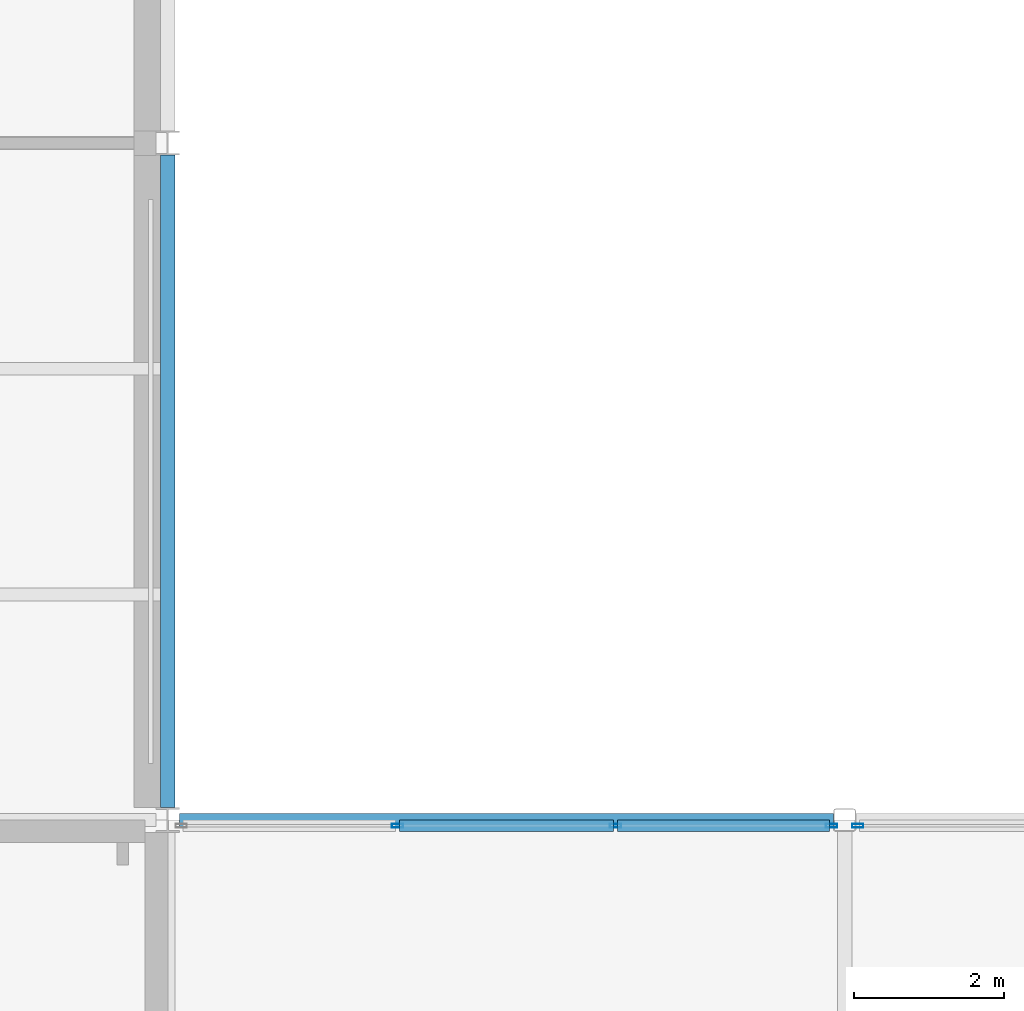
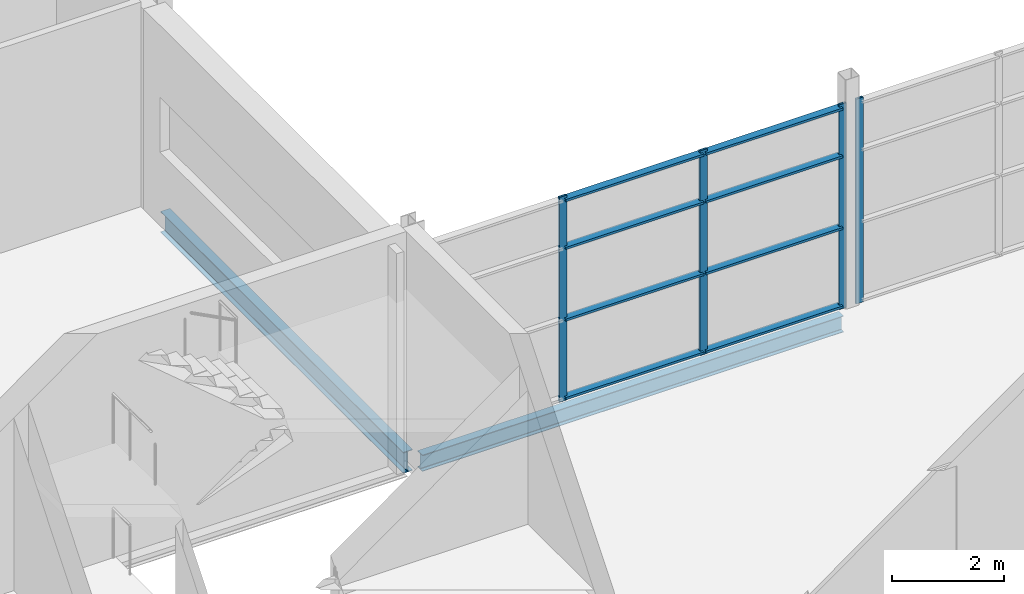
# One storey, part 58 of 112: 12 members, 2 beams, 2 elements without a shape of their own.
"""IFC4 building model written with IfcOpenShell, lengths in metres."""

from ifc_helpers import new_model, si_unit, direction, frame, origin, origin_2d, place, context, subcontext, project, spatial, hollow_rectangle, i_section, extrude, material, layer, layer_set, material_profile, profile_set, type_object, element, aggregate, save


model = new_model("IFC4")

# Units and contexts
model_context = context("Model", 3, precision=1e-05, world=origin(), true_north=direction((0.0, 1.0)))
body_context = subcontext(model_context, "Body", "Model", "MODEL_VIEW")
ifc_project = project(units=[si_unit("LENGTHUNIT", "METRE"), si_unit("AREAUNIT", "SQUARE_METRE"), si_unit("VOLUMEUNIT", "CUBIC_METRE"), si_unit("PLANEANGLEUNIT", "RADIAN"), si_unit("MASSUNIT", "GRAM", prefix="KILO")], contexts=[model_context])

# Site, building, storey
site_placement = place(None, origin())
site = spatial("IfcSite", under=ifc_project, at=site_placement, CompositionType="ELEMENT")
building_placement = place(site_placement, origin())
building = spatial("IfcBuilding", under=site, at=building_placement, Name="Shorebreak Coast Museum", CompositionType="ELEMENT")
storey_placement = place(building_placement, frame((0.0, 0.0, 6.0)))
storey = spatial("IfcBuildingStorey", under=building, at=storey_placement, Name="L01", CompositionType="ELEMENT", Elevation=6.0)

# Beams
ifc_material_1 = material(Name="Steel Grade 300", Category="steel")
ifc_material_profile_1 = material_profile(ifc_material_1, i_section(OverallWidth=0.1708984375, OverallDepth=0.355712890625, WebThickness=0.00732421875, FlangeThickness=0.011474609375, FilletRadius=0.011474609375, at=origin_2d()), Name="360UB50.7")
ifc_profile_set_1 = profile_set([ifc_material_profile_1], Name="Steel Grade 300")
beam_type_1 = type_object("IfcBeamType", Name="Floor girder east-west 360UB50.7", PredefinedType="BEAM", material=ifc_profile_set_1)
beam_1_placement = place(storey_placement, frame((117.155517578125, 90.0, -0.352783203125), z_axis=(1.0, 0.0, 0.0), x_axis=(0.0, 1.0, 0.0)))
element("IfcBeam", 1, at=beam_1_placement, inside=storey, type_object=beam_type_1, Name="Floor girder east-west L01 14L", PredefinedType="BEAM", context=body_context, shape_type="SweptSolid", body=[
    extrude(i_section(OverallWidth=0.1708984375, OverallDepth=0.355712890625, WebThickness=0.00732421875, FlangeThickness=0.011474609375, FilletRadius=0.011474609375, at=origin_2d()), origin(), (0.0, 0.0, 1.0), 8.694580078125),
])
ifc_material_2 = material(Name="Steel Grade 300", Category="steel")
ifc_material_profile_2 = material_profile(ifc_material_2, i_section(OverallWidth=0.19091796875, OverallDepth=0.46044921875, WebThickness=0.010009765625, FlangeThickness=0.01611328125, FilletRadius=0.011474609375, at=origin_2d()), Name="460UB82.1")
ifc_profile_set_2 = profile_set([ifc_material_profile_2], Name="Steel Grade 300")
beam_type_2 = type_object("IfcBeamType", Name="Floor girder north-south 460UB82.1", PredefinedType="BEAM", material=ifc_profile_set_2)
beam_2_placement = place(storey_placement, frame((117.0, 90.16357421875, -0.4052734375), z_axis=(0.0, 1.0, 0.0), x_axis=(-1.0, 0.0, 0.0)))
element("IfcBeam", 2, at=beam_2_placement, inside=storey, type_object=beam_type_2, Name="Floor girder north-south L01 14L", PredefinedType="BEAM", context=body_context, shape_type="SweptSolid", body=[
    extrude(i_section(OverallWidth=0.19091796875, OverallDepth=0.46044921875, WebThickness=0.010009765625, FlangeThickness=0.01611328125, FilletRadius=0.011474609375, at=origin_2d()), origin(), (0.0, 0.0, 1.0), 8.676025390625),
])

# Curtain wall, members
ifc_material_3 = material(Name="Aluminium", Category="aluminium")
ifc_layer = layer(ifc_material_3, 0.14990234375)
ifc_layer_set = layer_set([ifc_layer], Name="Aluminium")
curtain_wall_type = type_object("IfcCurtainWallType", Name="Storefront curtain wall", PredefinedType="NOTDEFINED", material=ifc_layer_set)
curtain_wall_1_placement = place(storey_placement, origin())
curtain_wall_1 = element("IfcCurtainWall", 3, at=curtain_wall_1_placement, inside=storey, type_object=curtain_wall_type, Name="Storefront L01 N 13", PredefinedType="NOTDEFINED")
ifc_material_4 = material(Name="Aluminium", Category="aluminium")
ifc_material_profile_3 = material_profile(ifc_material_4, hollow_rectangle(XDim=0.050048828125, YDim=0.14990234375, WallThickness=0.00390625, at=origin_2d()), Name="AL 150x50 RHS")
ifc_profile_set_3 = profile_set([ifc_material_profile_3], Name="Aluminium")
member_type_1 = type_object("IfcMemberType", Name="Storefront mullion 50 x 150", PredefinedType="MULLION", material=ifc_profile_set_3)
member_1_placement = place(storey_placement, frame((120.0537109375, 89.925048828125, 0.0), z_axis=(0.0, 0.0, 1.0), x_axis=(0.0, 1.0, 0.0)))
member_1 = element("IfcMember", 4, at=member_1_placement, type_object=member_type_1, Name="CW8 mullion 2", PredefinedType="MULLION", context=body_context, shape_type="SweptSolid", body=[
    extrude(hollow_rectangle(XDim=0.050048828125, YDim=0.14990234375, WallThickness=0.00390625, at=origin_2d()), origin(), (0.0, 0.0, 1.0), 4.469482421875),
])
member_2_placement = place(storey_placement, frame((122.951904296875, 89.925048828125, 0.0), z_axis=(0.0, 0.0, 1.0), x_axis=(0.0, 1.0, 0.0)))
member_2 = element("IfcMember", 5, at=member_2_placement, type_object=member_type_1, Name="CW8 mullion 3", PredefinedType="MULLION", context=body_context, shape_type="SweptSolid", body=[
    extrude(hollow_rectangle(XDim=0.050048828125, YDim=0.14990234375, WallThickness=0.00390625, at=origin_2d()), origin(), (0.0, 0.0, 1.0), 4.469482421875),
])
member_3_placement = place(storey_placement, frame((125.824951171875, 89.925048828125, 0.0), z_axis=(0.0, 0.0, 1.0), x_axis=(0.0, 1.0, 0.0)))
member_3 = element("IfcMember", 6, at=member_3_placement, type_object=member_type_1, Name="CW8 mullion 4", PredefinedType="MULLION", context=body_context, shape_type="SweptSolid", body=[
    extrude(hollow_rectangle(XDim=0.050048828125, YDim=0.14990234375, WallThickness=0.00390625, at=origin_2d()), origin(), (0.0, 0.0, 1.0), 4.469482421875),
])

# Curtain wall, member
curtain_wall_2_placement = place(storey_placement, origin())
curtain_wall_2 = element("IfcCurtainWall", 7, at=curtain_wall_2_placement, inside=storey, type_object=curtain_wall_type, Name="Storefront L01 N 14", PredefinedType="NOTDEFINED")
member_4_placement = place(storey_placement, frame((126.175048828125, 89.925048828125, 0.0), z_axis=(0.0, 0.0, 1.0), x_axis=(0.0, 1.0, 0.0)))
member_4 = element("IfcMember", 8, at=member_4_placement, type_object=member_type_1, Name="CW8 mullion 1", PredefinedType="MULLION", context=body_context, shape_type="SweptSolid", body=[
    extrude(hollow_rectangle(XDim=0.050048828125, YDim=0.14990234375, WallThickness=0.00390625, at=origin_2d()), origin(), (0.0, 0.0, 1.0), 4.469482421875),
])
aggregate(curtain_wall_2, [member_4])

# Member
ifc_material_5 = material(Name="Aluminium", Category="aluminium")
ifc_material_profile_4 = material_profile(ifc_material_5, hollow_rectangle(XDim=0.14990234375, YDim=0.050048828125, WallThickness=0.00390625, at=origin_2d()), Name="AL 50x150 RHS")
ifc_profile_set_4 = profile_set([ifc_material_profile_4], Name="Aluminium")
member_type_2 = type_object("IfcMemberType", Name="Storefront transom 150 x 50", PredefinedType="USERDEFINED", material=ifc_profile_set_4)
member_5_placement = place(storey_placement, frame((120.07861328125, 89.925048828125, 0.074951171875), z_axis=(1.0, 0.0, 0.0), x_axis=(0.0, 1.0, 0.0)))
member_5 = element("IfcMember", 9, at=member_5_placement, type_object=member_type_2, Name="CW8 transom 2.1", ObjectType="TRANSOM", PredefinedType="USERDEFINED", context=body_context, shape_type="SweptSolid", body=[
    extrude(hollow_rectangle(XDim=0.14990234375, YDim=0.050048828125, WallThickness=0.00390625, at=origin_2d()), origin(), (0.0, 0.0, 1.0), 2.84814453125),
])

member_6_placement = place(storey_placement, frame((120.07861328125, 89.925048828125, 1.787841796875), z_axis=(1.0, 0.0, 0.0), x_axis=(0.0, 1.0, 0.0)))
member_6 = element("IfcMember", 10, at=member_6_placement, type_object=member_type_2, Name="CW8 transom 2.2", ObjectType="TRANSOM", PredefinedType="USERDEFINED", context=body_context, shape_type="SweptSolid", body=[
    extrude(hollow_rectangle(XDim=0.14990234375, YDim=0.050048828125, WallThickness=0.00390625, at=origin_2d()), origin(), (0.0, 0.0, 1.0), 2.84814453125),
])

member_7_placement = place(storey_placement, frame((120.07861328125, 89.925048828125, 3.35205078125), z_axis=(1.0, 0.0, 0.0), x_axis=(0.0, 1.0, 0.0)))
member_7 = element("IfcMember", 11, at=member_7_placement, type_object=member_type_2, Name="CW8 transom 2.3", ObjectType="TRANSOM", PredefinedType="USERDEFINED", context=body_context, shape_type="SweptSolid", body=[
    extrude(hollow_rectangle(XDim=0.14990234375, YDim=0.050048828125, WallThickness=0.00390625, at=origin_2d()), origin(), (0.0, 0.0, 1.0), 2.84814453125),
])

member_8_placement = place(storey_placement, frame((120.07861328125, 89.925048828125, 4.394287109375), z_axis=(1.0, 0.0, 0.0), x_axis=(0.0, 1.0, 0.0)))
member_8 = element("IfcMember", 12, at=member_8_placement, type_object=member_type_2, Name="CW8 transom 2.4", ObjectType="TRANSOM", PredefinedType="USERDEFINED", context=body_context, shape_type="SweptSolid", body=[
    extrude(hollow_rectangle(XDim=0.14990234375, YDim=0.050048828125, WallThickness=0.00390625, at=origin_2d()), origin(), (0.0, 0.0, 1.0), 2.84814453125),
])

member_9_placement = place(storey_placement, frame((122.976806640625, 89.925048828125, 0.074951171875), z_axis=(1.0, 0.0, 0.0), x_axis=(0.0, 1.0, 0.0)))
member_9 = element("IfcMember", 13, at=member_9_placement, type_object=member_type_2, Name="CW8 transom 3.1", ObjectType="TRANSOM", PredefinedType="USERDEFINED", context=body_context, shape_type="SweptSolid", body=[
    extrude(hollow_rectangle(XDim=0.14990234375, YDim=0.050048828125, WallThickness=0.00390625, at=origin_2d()), origin(), (0.0, 0.0, 1.0), 2.8232421875),
])

member_10_placement = place(storey_placement, frame((122.976806640625, 89.925048828125, 1.787841796875), z_axis=(1.0, 0.0, 0.0), x_axis=(0.0, 1.0, 0.0)))
member_10 = element("IfcMember", 14, at=member_10_placement, type_object=member_type_2, Name="CW8 transom 3.2", ObjectType="TRANSOM", PredefinedType="USERDEFINED", context=body_context, shape_type="SweptSolid", body=[
    extrude(hollow_rectangle(XDim=0.14990234375, YDim=0.050048828125, WallThickness=0.00390625, at=origin_2d()), origin(), (0.0, 0.0, 1.0), 2.8232421875),
])

member_11_placement = place(storey_placement, frame((122.976806640625, 89.925048828125, 3.35205078125), z_axis=(1.0, 0.0, 0.0), x_axis=(0.0, 1.0, 0.0)))
member_11 = element("IfcMember", 15, at=member_11_placement, type_object=member_type_2, Name="CW8 transom 3.3", ObjectType="TRANSOM", PredefinedType="USERDEFINED", context=body_context, shape_type="SweptSolid", body=[
    extrude(hollow_rectangle(XDim=0.14990234375, YDim=0.050048828125, WallThickness=0.00390625, at=origin_2d()), origin(), (0.0, 0.0, 1.0), 2.8232421875),
])

member_12_placement = place(storey_placement, frame((122.976806640625, 89.925048828125, 4.394287109375), z_axis=(1.0, 0.0, 0.0), x_axis=(0.0, 1.0, 0.0)))
member_12 = element("IfcMember", 16, at=member_12_placement, type_object=member_type_2, Name="CW8 transom 3.4", ObjectType="TRANSOM", PredefinedType="USERDEFINED", context=body_context, shape_type="SweptSolid", body=[
    extrude(hollow_rectangle(XDim=0.14990234375, YDim=0.050048828125, WallThickness=0.00390625, at=origin_2d()), origin(), (0.0, 0.0, 1.0), 2.8232421875),
])

aggregate(curtain_wall_1, [member_1, member_2, member_3, member_5, member_6, member_7, member_8, member_9, member_10, member_11, member_12])

save(model, "model.ifc")
